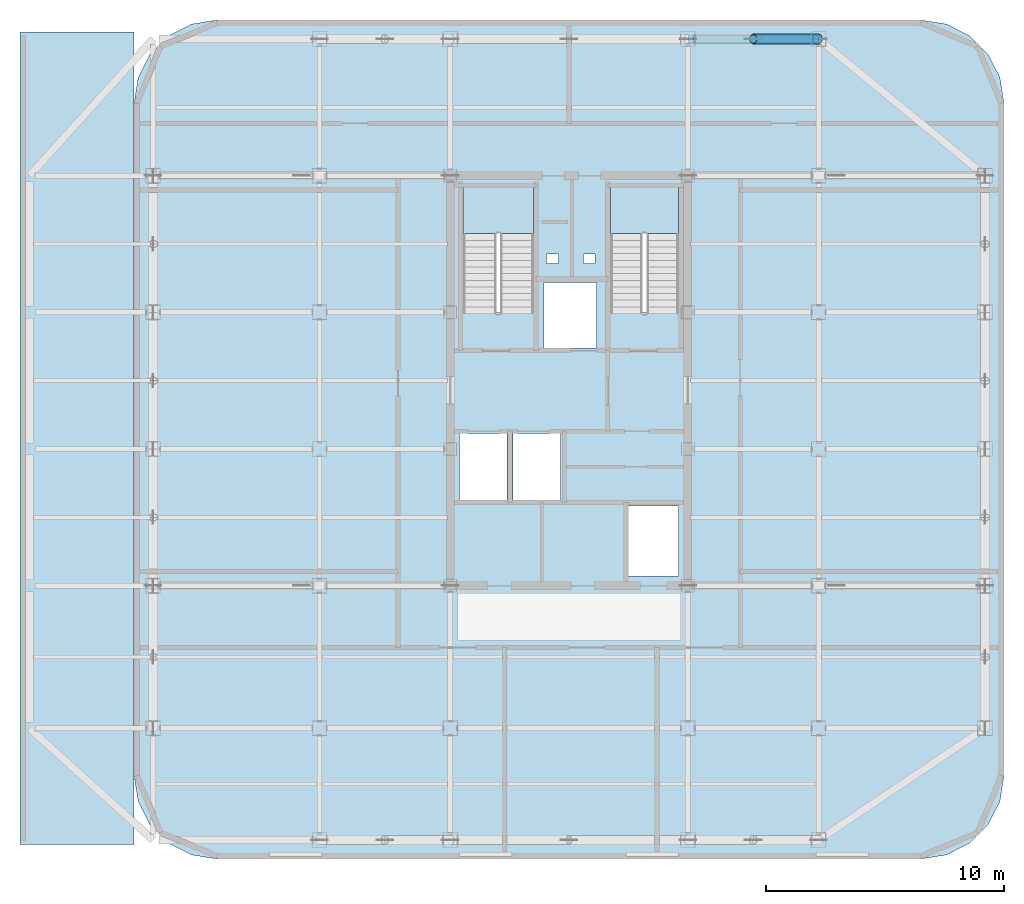
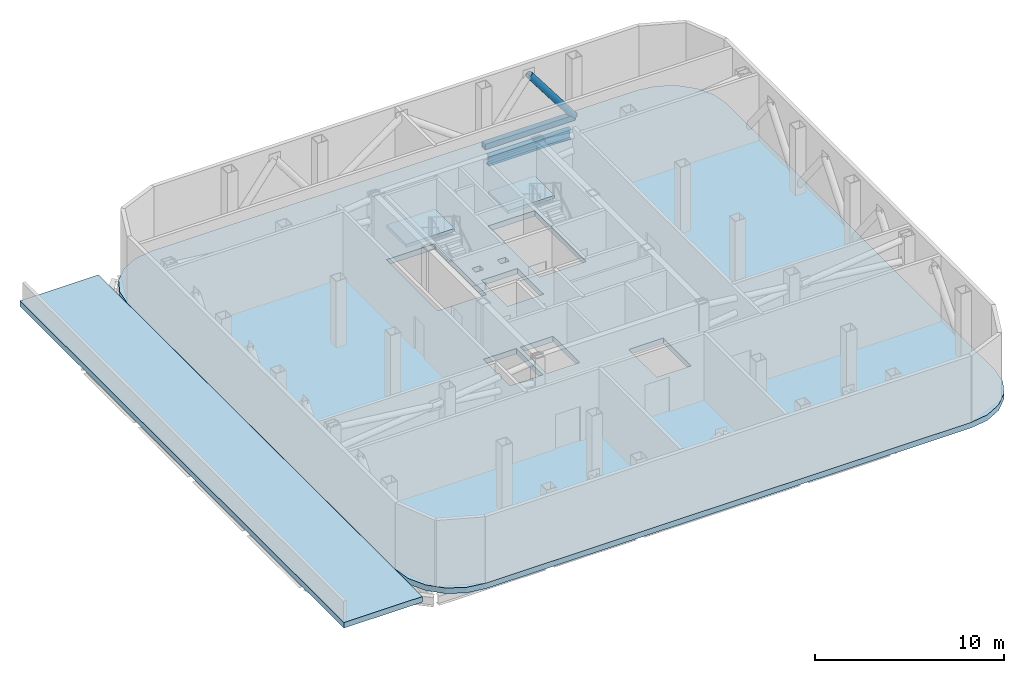
# One storey, part 3 of 7: 4 slabs, 2 members, 1 beam, 2 elements without a shape of their own.
"""IFC4 building model written with IfcOpenShell, lengths in metres."""

from ifc_helpers import new_model, si_unit, direction, frame, origin, origin_2d, place, context, subcontext, project, spatial, polyline, hollow_rectangle, hollow_circle, i_section, outline, extrude, source, transform, mapped, material, layer, layer_set, material_profile, profile_set, type_object, element, aggregate, save


model = new_model("IFC4")

# Units and contexts
model_context = context("Model", 3, precision=1e-05, world=origin(), true_north=direction((0.0, 1.0)))
body_context = subcontext(model_context, "Body", "Model", "MODEL_VIEW")
ifc_project = project(units=[si_unit("LENGTHUNIT", "METRE"), si_unit("AREAUNIT", "SQUARE_METRE"), si_unit("VOLUMEUNIT", "CUBIC_METRE"), si_unit("PLANEANGLEUNIT", "RADIAN"), si_unit("MASSUNIT", "GRAM", prefix="KILO")], contexts=[model_context])

# Site, building, storey
site_placement = place(None, origin())
site = spatial("IfcSite", under=ifc_project, at=site_placement, CompositionType="ELEMENT")
building_placement = place(site_placement, origin())
building = spatial("IfcBuilding", under=site, at=building_placement, Name="Kolveth Station Tower", CompositionType="ELEMENT")
storey_placement = place(building_placement, frame((0.0, 0.0, 215.60009765625)))
storey = spatial("IfcBuildingStorey", under=building, at=storey_placement, Name="L61", CompositionType="ELEMENT", Elevation=215.60009765625)

# Beam
ifc_material_1 = material(Name="Steel S355", Category="steel")
ifc_material_profile_1 = material_profile(ifc_material_1, i_section(OverallWidth=0.323974609375, OverallDepth=0.611083984375, WebThickness=0.0126953125, FlangeThickness=0.01904296875, at=origin_2d()), Name="W610x155")
ifc_profile_set_1 = profile_set([ifc_material_profile_1], Name="Steel S355")
beam_type = type_object("IfcBeamType", Name="Beam_SP2", PredefinedType="SPANDREL", material=ifc_profile_set_1)
shared_shape_1 = source(origin(), body_context, "Body", "SweptSolid", [
    extrude(i_section(OverallWidth=0.323974609375, OverallDepth=0.611083984375, WebThickness=0.0126953125, FlangeThickness=0.01904296875, at=origin_2d()), origin(), (0.0, 0.0, 1.0), 5.02001953125),
])
beam_placement = place(storey_placement, frame((28.739990234375, 34.5, -0.66552734375), z_axis=(1.0, 0.0, 0.0), x_axis=(0.0, 1.0, 0.0)))
element("IfcBeam", 1, at=beam_placement, inside=storey, type_object=beam_type, Name="L61 Perimeter Spandrel BM-L61-PN-4", PredefinedType="SPANDREL", context=body_context, shape_type="MappedRepresentation", body=[
    mapped(shared_shape_1, transform((0.0, 0.0, 0.0), x_axis=(1.0, 0.0, 0.0), y_axis=(0.0, 1.0, 0.0), z_axis=(0.0, 0.0, 1.0), scale=1.0)),
])

# Members
ifc_material_profile_2 = material_profile(ifc_material_1, hollow_circle(Radius=0.202880859375, WallThickness=0.02001953125, at=origin_2d()), Name="CHS406x20")
ifc_profile_set_2 = profile_set([ifc_material_profile_2], Name="Steel S355")
member_type_1 = type_object("IfcMemberType", Name="Mem_BR3", PredefinedType="BRACE", material=ifc_profile_set_2)
shared_shape_2 = source(origin(), body_context, "Body", "SweptSolid", [
    extrude(hollow_circle(Radius=0.202880859375, WallThickness=0.02001953125, at=origin_2d()), origin(), (0.0, 0.0, 1.0), 4.55419921875),
])
member_1_placement = place(storey_placement, frame((34.0, 34.5, 0.349853515625), z_axis=(-0.603844270188, 0.0, 0.797102312982), x_axis=(0.0, -1.0, 0.0)))
element("IfcMember", 2, at=member_1_placement, inside=storey, type_object=member_type_1, Name="L61 Belt Truss Brace N3B", PredefinedType="BRACE", context=body_context, shape_type="MappedRepresentation", body=[
    mapped(shared_shape_2, transform((0.0, 0.0, 0.0), x_axis=(1.0, 0.0, 0.0), y_axis=(0.0, 1.0, 0.0), z_axis=(0.0, 0.0, 1.0), scale=1.0)),
])
ifc_material_profile_3 = material_profile(ifc_material_1, hollow_rectangle(XDim=0.35009765625, YDim=0.35009765625, WallThickness=0.02001953125, at=origin_2d()), Name="HSS350x350x20")
ifc_profile_set_3 = profile_set([ifc_material_profile_3], Name="Steel S355")
member_type_2 = type_object("IfcMemberType", Name="Mem_CH2", PredefinedType="CHORD", material=ifc_profile_set_3)
shared_shape_3 = source(origin(), body_context, "Body", "SweptSolid", [
    extrude(hollow_rectangle(XDim=0.35009765625, YDim=0.35009765625, WallThickness=0.02001953125, at=origin_2d()), origin(), (0.0, 0.0, 1.0), 5.5),
])
member_2_placement = place(storey_placement, frame((28.5, 34.5, 0.349853515625), z_axis=(1.0, 0.0, 0.0), x_axis=(0.0, 1.0, 0.0)))
element("IfcMember", 3, at=member_2_placement, inside=storey, type_object=member_type_2, Name="L61 Belt Truss Bottom Chord N3", PredefinedType="CHORD", context=body_context, shape_type="MappedRepresentation", body=[
    mapped(shared_shape_3, transform((0.0, 0.0, 0.0), x_axis=(1.0, 0.0, 0.0), y_axis=(0.0, 1.0, 0.0), z_axis=(0.0, 0.0, 1.0), scale=1.0)),
])

# Slab
ifc_material_2 = material(Name="Concrete C50/60", Category="concrete")
ifc_layer_1 = layer(ifc_material_2, 0.360107421875)
ifc_layer_set_1 = layer_set([ifc_layer_1], Name="Concrete C50/60")
slab_type_1 = type_object("IfcSlabType", Name="Slab_SF-360", PredefinedType="FLOOR", material=ifc_layer_set_1)
slab_1_placement = place(storey_placement, frame((0.0, 0.0, -0.360107421875)))
element("IfcSlab", 4, at=slab_1_placement, inside=storey, type_object=slab_type_1, Name="L61 Tower Structural Floor Slab", PredefinedType="FLOOR", context=body_context, shape_type="SweptSolid", body=[
    extrude(outline(polyline([(38.300048828125, 0.0), (39.381591796875, 0.17138671875), (40.357177734375, 0.66845703125), (41.131591796875, 1.44287109375), (41.628662109375, 2.41845703125), (41.800048828125, 3.5), (41.800048828125, 31.800048828125), (41.628662109375, 32.881591796875), (41.131591796875, 33.857177734375), (40.357177734375, 34.631591796875), (39.381591796875, 35.128662109375), (38.300048828125, 35.300048828125), (8.699951171875, 35.300048828125), (7.618408203125, 35.128662109375), (6.642822265625, 34.631591796875), (5.868408203125, 33.857177734375), (5.371337890625, 32.881591796875), (5.199951171875, 31.800048828125), (5.199951171875, 3.5), (5.371337890625, 2.41845703125), (5.868408203125, 1.44287109375), (6.642822265625, 0.66845703125), (7.618408203125, 0.17138671875), (8.699951171875, 0.0), (38.300048828125, 0.0)]), holes=[polyline([(19.0400390625, 22.985107421875), (22.0, 22.985107421875), (22.0, 28.39990234375), (19.0400390625, 28.39990234375), (19.0400390625, 22.985107421875)]), polyline([(25.239990234375, 22.985107421875), (28.10009765625, 22.985107421875), (28.10009765625, 28.39990234375), (25.239990234375, 28.39990234375), (25.239990234375, 22.985107421875)]), polyline([(18.89990234375, 15.10009765625), (20.89990234375, 15.10009765625), (20.89990234375, 17.89990234375), (18.89990234375, 17.89990234375), (18.89990234375, 15.10009765625)]), polyline([(21.14990234375, 15.10009765625), (23.14990234375, 15.10009765625), (23.14990234375, 17.89990234375), (21.14990234375, 17.89990234375), (21.14990234375, 15.10009765625)]), polyline([(22.449951171875, 21.5), (24.64990234375, 21.5), (24.64990234375, 24.25), (22.449951171875, 24.25), (22.449951171875, 21.5)]), polyline([(26.0, 11.89990234375), (28.10009765625, 11.89990234375), (28.10009765625, 14.85009765625), (26.0, 14.85009765625), (26.0, 11.89990234375)]), polyline([(22.550048828125, 25.050048828125), (23.050048828125, 25.050048828125), (23.050048828125, 25.449951171875), (22.550048828125, 25.449951171875), (22.550048828125, 25.050048828125)]), polyline([(24.10009765625, 25.050048828125), (24.60009765625, 25.050048828125), (24.60009765625, 25.449951171875), (24.10009765625, 25.449951171875), (24.10009765625, 25.050048828125)])]), origin(), (0.0, 0.0, 1.0), 0.360107421875),
])

# Stair, slab
ifc_material_3 = material(Name="Concrete C40/50", Category="concrete")
stair_type_1 = type_object("IfcStairType", Name="Stair_ST2", PredefinedType="HALF_TURN_STAIR", material=ifc_material_3)
stair_1_placement = place(storey_placement, origin())
stair_1 = element("IfcStair", 5, at=stair_1_placement, inside=storey, type_object=stair_type_1, Name="L61 Tower Exit Stair ST2", PredefinedType="HALF_TURN_STAIR")
ifc_layer_2 = layer(ifc_material_3, 0.18994140625)
ifc_layer_set_2 = layer_set([ifc_layer_2], Name="Concrete C40/50")
slab_type_2 = type_object("IfcSlabType", Name="Slab_SL-190", PredefinedType="LANDING", material=ifc_layer_set_2)
slab_2_placement = place(storey_placement, frame((0.0, 0.0, 2.0498046875)))
slab_2 = element("IfcSlab", 6, at=slab_2_placement, type_object=slab_type_2, Name="ST2 landing 1", PredefinedType="LANDING", context=body_context, shape_type="SweptSolid", body=[
    extrude(outline(polyline([(28.10009765625, 26.31005859375), (28.10009765625, 28.39990234375), (25.239990234375, 28.39990234375), (25.239990234375, 26.31005859375), (28.10009765625, 26.31005859375)])), origin(), (0.0, 0.0, 1.0), 0.2001953125),
])
aggregate(stair_1, [slab_2])

stair_type_2 = type_object("IfcStairType", Name="Stair_ST1", PredefinedType="HALF_TURN_STAIR", material=ifc_material_3)
stair_2_placement = place(storey_placement, origin())
stair_2 = element("IfcStair", 7, at=stair_2_placement, inside=storey, type_object=stair_type_2, Name="L61 Tower Exit Stair ST1", PredefinedType="HALF_TURN_STAIR")
ifc_layer_3 = layer(ifc_material_3, 0.205078125)
ifc_layer_set_3 = layer_set([ifc_layer_3], Name="Concrete C40/50")
slab_type_3 = type_object("IfcSlabType", Name="Slab_SL-205", PredefinedType="LANDING", material=ifc_layer_set_3)
slab_3_placement = place(storey_placement, frame((0.0, 0.0, 2.0498046875)))
slab_3 = element("IfcSlab", 8, at=slab_3_placement, type_object=slab_type_3, Name="ST1 landing 1", PredefinedType="LANDING", context=body_context, shape_type="SweptSolid", body=[
    extrude(outline(polyline([(22.0, 26.31005859375), (22.0, 28.39990234375), (19.0400390625, 28.39990234375), (19.0400390625, 26.31005859375), (22.0, 26.31005859375)])), origin(), (0.0, 0.0, 1.0), 0.2001953125),
])
aggregate(stair_2, [slab_3])

# Slab
ifc_material_4 = material(Name="Concrete C45/55", Category="concrete")
ifc_layer_4 = layer(ifc_material_4, 0.300048828125)
ifc_layer_set_4 = layer_set([ifc_layer_4], Name="Concrete C45/55")
slab_type_4 = type_object("IfcSlabType", Name="Slab_SR-300", PredefinedType="ROOF", material=ifc_layer_set_4)
slab_4_placement = place(storey_placement, frame((0.0, 0.0, -0.360107421875)))
element("IfcSlab", 9, at=slab_4_placement, inside=storey, type_object=slab_type_4, Name="L61 West Bundled-Tube Drop-Off Roof Slab", PredefinedType="ROOF", context=body_context, shape_type="SweptSolid", body=[
    extrude(outline(polyline([(0.39990234375, 0.60009765625), (5.18994140625, 0.60009765625), (5.18994140625, 34.800048828125), (0.39990234375, 34.800048828125), (0.39990234375, 0.60009765625)])), origin(), (0.0, 0.0, 1.0), 0.360107421875),
])

save(model, "model.ifc")
